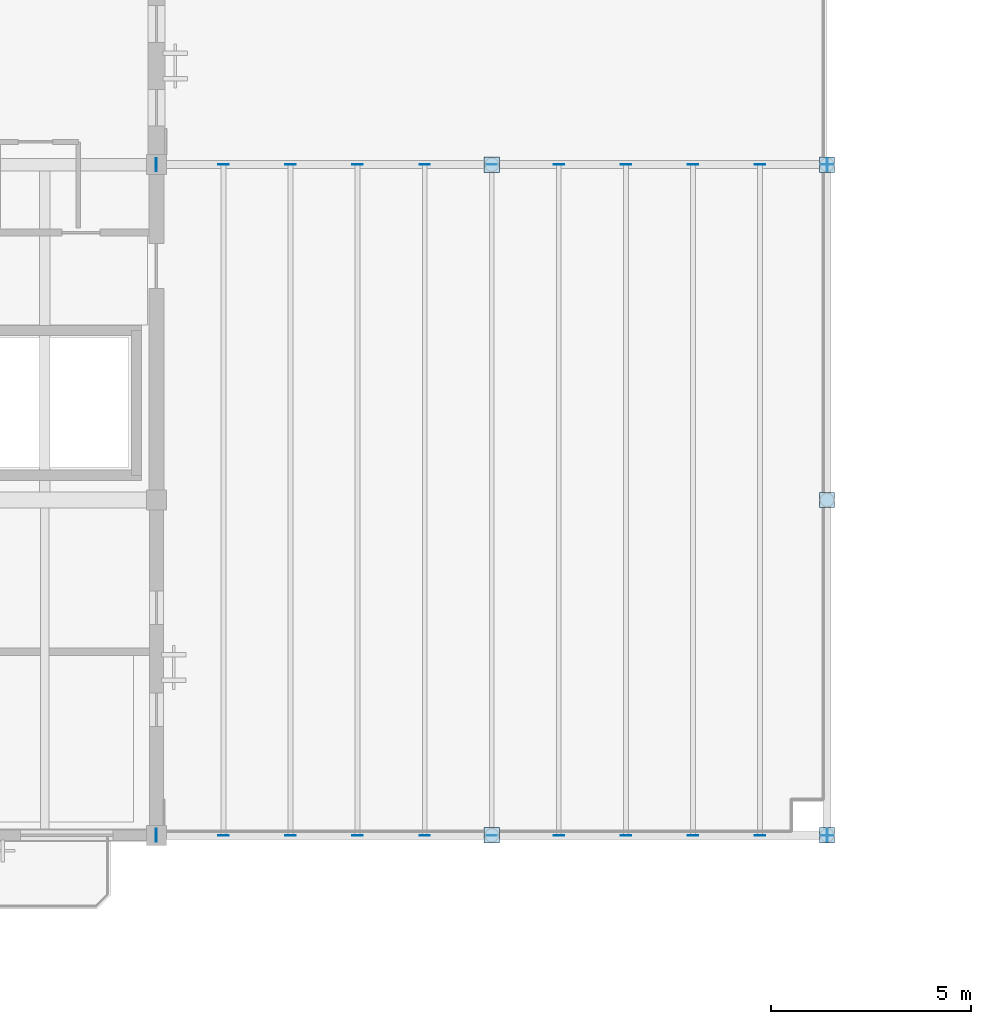
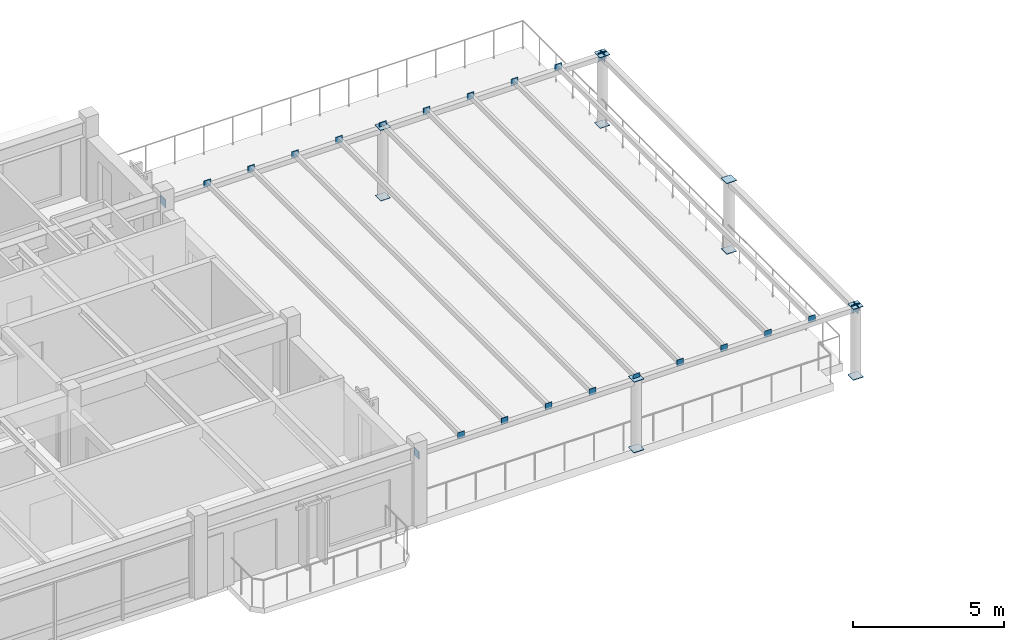
# One storey, part 12 of 24: 34 plates.
"""IFC4 building model written with IfcOpenShell, lengths in metres."""

from ifc_helpers import new_model, si_unit, direction, frame, origin, origin_2d, place, context, subcontext, project, spatial, rectangle, extrude, material, layer, layer_set, type_object, element, save


model = new_model("IFC4")

# Units and contexts
model_context = context("Model", 3, precision=1e-05, world=origin(), true_north=direction((0.0, 1.0)))
body_context = subcontext(model_context, "Body", "Model", "MODEL_VIEW")
ifc_project = project(units=[si_unit("LENGTHUNIT", "METRE"), si_unit("AREAUNIT", "SQUARE_METRE"), si_unit("VOLUMEUNIT", "CUBIC_METRE"), si_unit("PLANEANGLEUNIT", "RADIAN"), si_unit("MASSUNIT", "GRAM", prefix="KILO")], contexts=[model_context])

# Site, building, storey
site_placement = place(None, origin())
site = spatial("IfcSite", under=ifc_project, at=site_placement, CompositionType="ELEMENT")
building_placement = place(site_placement, origin())
building = spatial("IfcBuilding", under=site, at=building_placement, Name="Cumbredor Promenade Congress Hotel", CompositionType="ELEMENT")
storey_placement = place(building_placement, frame((0.0, 0.0, 35.280029296875)))
storey = spatial("IfcBuildingStorey", under=building, at=storey_placement, Name="L10", CompositionType="ELEMENT", Elevation=35.280029296875)

# Plates
ifc_material = material(Name="Steel ASTM A572 Grade 50", Category="steel")
ifc_layer_1 = layer(ifc_material, 0.02001953125, Name="Steel ASTM A572 Grade 50", Category="steel")
ifc_layer_set_1 = layer_set([ifc_layer_1], Name="Steel ASTM A572 Grade 50")
plate_type_1 = type_object("IfcPlateType", Name="Hollow Section End Cap Plate CP-04", PredefinedType="USERDEFINED", material=ifc_layer_set_1)
for number, where, z_axis, x_axis, name in (
    (1, (58.800048828125, 92.39990234375, -0.012939453125), (0.0, 0.0, 1.0), (1.0, 0.0, 0.0), "L10 Sky-Garden Pergola Post 5.4 Start Cap Plate"),
    (2, (58.800048828125, 92.39990234375, 2.847900390625), (0.0, 0.0, 1.0), (1.0, 0.0, 0.0), "L10 Sky-Garden Pergola Post 5.4 End Cap Plate"),
    (3, (58.800048828125, 109.199951171875, -0.012939453125), (0.0, 0.0, 1.0), (1.0, 0.0, 0.0), "L10 Sky-Garden Pergola Post 5.5 Start Cap Plate"),
    (4, (58.800048828125, 109.199951171875, 2.847900390625), (0.0, 0.0, 1.0), (1.0, 0.0, 0.0), "L10 Sky-Garden Pergola Post 5.5 End Cap Plate"),
    (5, (67.199951171875, 92.39990234375, -0.012939453125), (0.0, 0.0, 1.0), (1.0, 0.0, 0.0), "L10 Sky-Garden Pergola Post 5.6 Start Cap Plate"),
    (6, (67.199951171875, 92.39990234375, 2.847900390625), (0.0, 0.0, 1.0), (1.0, 0.0, 0.0), "L10 Sky-Garden Pergola Post 5.6 End Cap Plate"),
    (7, (67.199951171875, 100.800048828125, -0.012939453125), (0.0, 0.0, 1.0), (1.0, 0.0, 0.0), "L10 Sky-Garden Pergola Post 5.7 Start Cap Plate"),
    (8, (67.199951171875, 100.800048828125, 2.847900390625), (0.0, 0.0, 1.0), (1.0, 0.0, 0.0), "L10 Sky-Garden Pergola Post 5.7 End Cap Plate"),
    (9, (67.199951171875, 109.199951171875, -0.012939453125), (0.0, 0.0, 1.0), (1.0, 0.0, 0.0), "L10 Sky-Garden Pergola Post 5.8 Start Cap Plate"),
    (10, (67.199951171875, 109.199951171875, 2.847900390625), (0.0, 0.0, 1.0), (1.0, 0.0, 0.0), "L10 Sky-Garden Pergola Post 5.8 End Cap Plate"),
):
    element("IfcPlate", number, at=place(storey_placement, frame(where, z_axis=z_axis, x_axis=x_axis)), inside=storey, type_object=plate_type_1, Name=name, ObjectType="CAP PLATE", PredefinedType="USERDEFINED", context=body_context, shape_type="SweptSolid", body=[
        extrude(rectangle(XDim=0.3798828125, YDim=0.3798828125, at=origin_2d()), origin(), (0.0, 0.0, 1.0), 0.02001953125),
    ])
ifc_layer_2 = layer(ifc_material, 0.02001953125, Name="Steel ASTM A572 Grade 50", Category="steel")
ifc_layer_set_2 = layer_set([ifc_layer_2], Name="Steel ASTM A572 Grade 50")
plate_type_2 = type_object("IfcPlateType", Name="Hollow Section End Cap Plate CP-05", PredefinedType="USERDEFINED", material=ifc_layer_set_2)
for number, where, z_axis, x_axis, name in (
    (11, (50.39208984375, 92.39990234375, 2.58984375), (0.0, 0.0, 1.0), (1.0, 0.0, 0.0), "L10 Sky-Garden Pergola Tie Beam 5S Start Cap Plate"),
    (12, (67.2080078125, 92.39990234375, 2.58984375), (0.0, 0.0, 1.0), (1.0, 0.0, 0.0), "L10 Sky-Garden Pergola Tie Beam 5S End Cap Plate"),
    (13, (50.39208984375, 109.199951171875, 2.58984375), (0.0, 0.0, 1.0), (1.0, 0.0, 0.0), "L10 Sky-Garden Pergola Tie Beam 5N Start Cap Plate"),
    (14, (67.2080078125, 109.199951171875, 2.58984375), (0.0, 0.0, 1.0), (1.0, 0.0, 0.0), "L10 Sky-Garden Pergola Tie Beam 5N End Cap Plate"),
    (15, (67.199951171875, 92.39208984375, 2.58984375), (0.0, 0.0, 1.0), (0.0, 1.0, 0.0), "L10 Sky-Garden Pergola Tie Beam 5E Start Cap Plate"),
    (16, (67.199951171875, 109.2080078125, 2.58984375), (0.0, 0.0, 1.0), (0.0, 1.0, 0.0), "L10 Sky-Garden Pergola Tie Beam 5E End Cap Plate"),
):
    element("IfcPlate", number, at=place(storey_placement, frame(where, z_axis=z_axis, x_axis=x_axis)), inside=storey, type_object=plate_type_2, Name=name, ObjectType="CAP PLATE", PredefinedType="USERDEFINED", context=body_context, shape_type="SweptSolid", body=[
        extrude(rectangle(XDim=0.02001953125, YDim=0.320068359375, at=origin_2d()), origin(), (0.0, 0.0, 1.0), 0.320068359375),
    ])
ifc_layer_3 = layer(ifc_material, 0.02001953125, Name="Steel ASTM A572 Grade 50", Category="steel")
ifc_layer_set_3 = layer_set([ifc_layer_3], Name="Steel ASTM A572 Grade 50")
plate_type_3 = type_object("IfcPlateType", Name="Hollow Section End Cap Plate CP-06", PredefinedType="USERDEFINED", material=ifc_layer_set_3)
for number, where, z_axis, x_axis, name in (
    (17, (52.080078125, 92.39208984375, 2.77001953125), (0.0, 0.0, 1.0), (0.0, 1.0, 0.0), "L10 Sky-Garden Trellis Slat 5.2 Start Cap Plate"),
    (18, (52.080078125, 109.2080078125, 2.77001953125), (0.0, 0.0, 1.0), (0.0, 1.0, 0.0), "L10 Sky-Garden Trellis Slat 5.2 End Cap Plate"),
    (19, (53.760009765625, 92.39208984375, 2.77001953125), (0.0, 0.0, 1.0), (0.0, 1.0, 0.0), "L10 Sky-Garden Trellis Slat 5.3 Start Cap Plate"),
    (20, (53.760009765625, 109.2080078125, 2.77001953125), (0.0, 0.0, 1.0), (0.0, 1.0, 0.0), "L10 Sky-Garden Trellis Slat 5.3 End Cap Plate"),
    (21, (55.43994140625, 92.39208984375, 2.77001953125), (0.0, 0.0, 1.0), (0.0, 1.0, 0.0), "L10 Sky-Garden Trellis Slat 5.4 Start Cap Plate"),
    (22, (55.43994140625, 109.2080078125, 2.77001953125), (0.0, 0.0, 1.0), (0.0, 1.0, 0.0), "L10 Sky-Garden Trellis Slat 5.4 End Cap Plate"),
    (23, (57.1201171875, 92.39208984375, 2.77001953125), (0.0, 0.0, 1.0), (0.0, 1.0, 0.0), "L10 Sky-Garden Trellis Slat 5.5 Start Cap Plate"),
    (24, (57.1201171875, 109.2080078125, 2.77001953125), (0.0, 0.0, 1.0), (0.0, 1.0, 0.0), "L10 Sky-Garden Trellis Slat 5.5 End Cap Plate"),
    (25, (58.800048828125, 92.39208984375, 2.77001953125), (0.0, 0.0, 1.0), (0.0, 1.0, 0.0), "L10 Sky-Garden Trellis Slat 5.6 Start Cap Plate"),
    (26, (58.800048828125, 109.2080078125, 2.77001953125), (0.0, 0.0, 1.0), (0.0, 1.0, 0.0), "L10 Sky-Garden Trellis Slat 5.6 End Cap Plate"),
    (27, (60.47998046875, 92.39208984375, 2.77001953125), (0.0, 0.0, 1.0), (0.0, 1.0, 0.0), "L10 Sky-Garden Trellis Slat 5.7 Start Cap Plate"),
    (28, (60.47998046875, 109.2080078125, 2.77001953125), (0.0, 0.0, 1.0), (0.0, 1.0, 0.0), "L10 Sky-Garden Trellis Slat 5.7 End Cap Plate"),
    (29, (62.159912109375, 92.39208984375, 2.77001953125), (0.0, 0.0, 1.0), (0.0, 1.0, 0.0), "L10 Sky-Garden Trellis Slat 5.8 Start Cap Plate"),
    (30, (62.159912109375, 109.2080078125, 2.77001953125), (0.0, 0.0, 1.0), (0.0, 1.0, 0.0), "L10 Sky-Garden Trellis Slat 5.8 End Cap Plate"),
    (31, (63.840087890625, 92.39208984375, 2.77001953125), (0.0, 0.0, 1.0), (0.0, 1.0, 0.0), "L10 Sky-Garden Trellis Slat 5.9 Start Cap Plate"),
    (32, (63.840087890625, 109.2080078125, 2.77001953125), (0.0, 0.0, 1.0), (0.0, 1.0, 0.0), "L10 Sky-Garden Trellis Slat 5.9 End Cap Plate"),
    (33, (65.52001953125, 92.39208984375, 2.77001953125), (0.0, 0.0, 1.0), (0.0, 1.0, 0.0), "L10 Sky-Garden Trellis Slat 5.10 Start Cap Plate"),
    (34, (65.52001953125, 109.2080078125, 2.77001953125), (0.0, 0.0, 1.0), (0.0, 1.0, 0.0), "L10 Sky-Garden Trellis Slat 5.10 End Cap Plate"),
):
    element("IfcPlate", number, at=place(storey_placement, frame(where, z_axis=z_axis, x_axis=x_axis)), inside=storey, type_object=plate_type_3, Name=name, ObjectType="CAP PLATE", PredefinedType="USERDEFINED", context=body_context, shape_type="SweptSolid", body=[
        extrude(rectangle(XDim=0.02001953125, YDim=0.260009765625, at=origin_2d()), origin(), (0.0, 0.0, 1.0), 0.260009765625),
    ])

save(model, "model.ifc")
